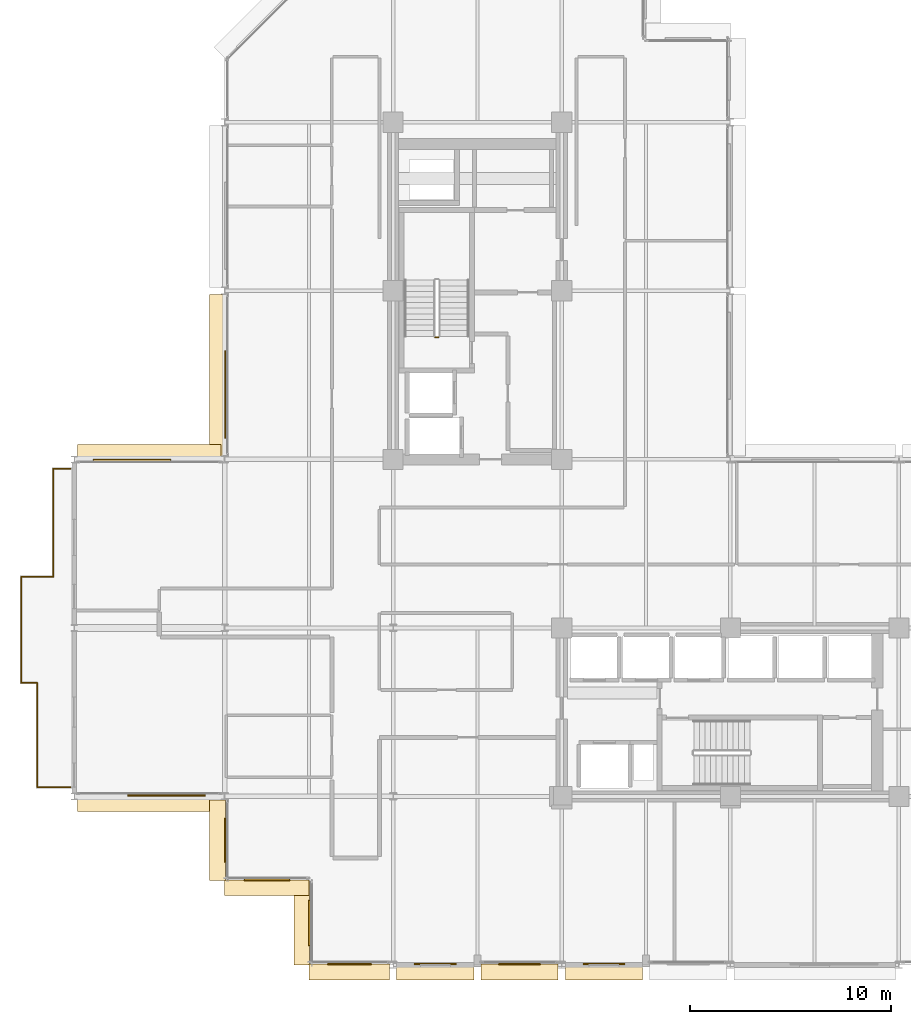
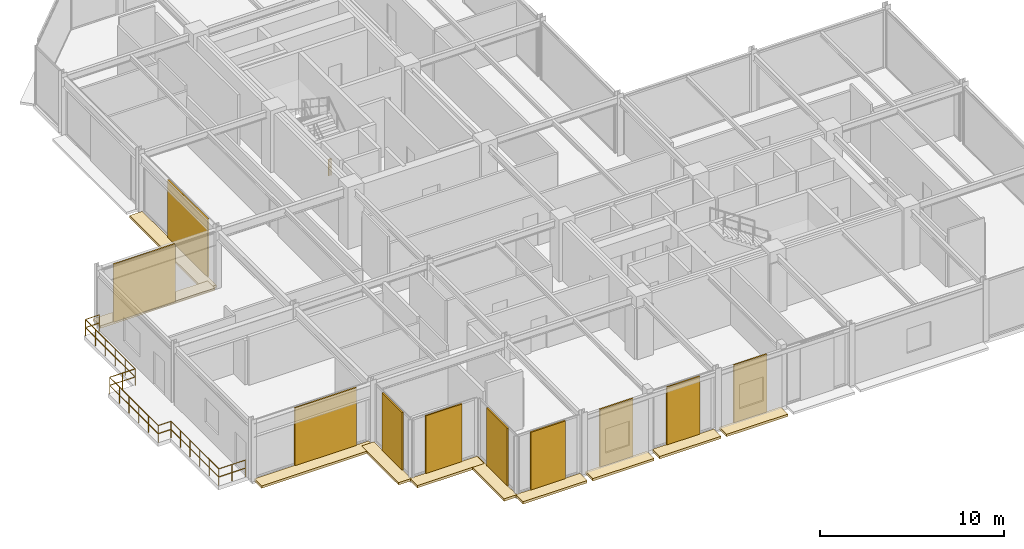
# One storey, part 27 of 29: 20 coverings, 8 railings.
"""IFC4 building model written with IfcOpenShell, lengths in metres."""

from ifc_helpers import new_model, si_unit, direction, frame, origin, origin_2d, place, context, subcontext, project, spatial, polyline, rectangle, circle, outline, extrude, material, layer, layer_set, type_object, element, save


model = new_model("IFC4")

# Units and contexts
model_context = context("Model", 3, precision=1e-05, world=origin(), true_north=direction((0.0, 1.0)))
body_context = subcontext(model_context, "Body", "Model", "MODEL_VIEW")
ifc_project = project(units=[si_unit("LENGTHUNIT", "METRE"), si_unit("AREAUNIT", "SQUARE_METRE"), si_unit("VOLUMEUNIT", "CUBIC_METRE"), si_unit("PLANEANGLEUNIT", "RADIAN"), si_unit("MASSUNIT", "GRAM", prefix="KILO")], contexts=[model_context])

# Site, building, storey
site_placement = place(None, origin())
site = spatial("IfcSite", under=ifc_project, at=site_placement, CompositionType="ELEMENT")
building_placement = place(site_placement, origin())
building = spatial("IfcBuilding", under=site, at=building_placement, Name="Nerrivon Quay Data Exchange", CompositionType="ELEMENT")
storey_placement = place(building_placement, frame((0.0, 0.0, 204.199951171875)))
storey = spatial("IfcBuildingStorey", under=building, at=storey_placement, Name="L48", CompositionType="ELEMENT", Elevation=204.199951171875)

# Coverings
ifc_material_1 = material(Name="Architectural terracotta ceramic", Category="masonry")
ifc_layer_1 = layer(ifc_material_1, 0.159912109375)
ifc_layer_set_1 = layer_set([ifc_layer_1], Name="Architectural terracotta ceramic")
covering_type_1 = type_object("IfcCoveringType", Name="COV-BLD-TERR", PredefinedType="CLADDING", material=ifc_layer_set_1)
covering_1_placement = place(storey_placement, frame((0.0, 0.0, -0.159912109375)))
element("IfcCovering", 1, at=covering_1_placement, inside=storey, type_object=covering_type_1, Name="L48 Horizontal Terracotta SOLAR SCREEN Blade", PredefinedType="CLADDING", context=body_context, shape_type="SweptSolid", body=[
    extrude(outline(polyline([(-7.344482421875, 25.159912109375), (-0.175048828125, 25.159912109375), (-0.175048828125, 25.949951171875), (-7.344482421875, 25.949951171875), (-7.344482421875, 25.159912109375)])), origin(), (0.0, 0.0, 1.0), 0.159912109375),
])
covering_2_placement = place(storey_placement, frame((0.0, 0.0, -0.159912109375)))
element("IfcCovering", 2, at=covering_2_placement, inside=storey, type_object=covering_type_1, Name="L48 Horizontal Terracotta SOLAR SCREEN Blade", PredefinedType="CLADDING", context=body_context, shape_type="SweptSolid", body=[
    extrude(outline(polyline([(0.0400390625, 25.375), (0.0400390625, 33.425048828125), (-0.75, 33.425048828125), (-0.75, 25.375), (0.0400390625, 25.375)])), origin(), (0.0, 0.0, 1.0), 0.159912109375),
])
covering_3_placement = place(storey_placement, frame((0.0, 0.0, -0.159912109375)))
element("IfcCovering", 3, at=covering_3_placement, inside=storey, type_object=covering_type_1, Name="L48 Horizontal Terracotta SOLAR SCREEN Blade", PredefinedType="CLADDING", context=body_context, shape_type="SweptSolid", body=[
    extrude(outline(polyline([(20.824951171875, 0.0400390625), (16.97509765625, 0.0400390625), (16.97509765625, -0.75), (20.824951171875, -0.75), (20.824951171875, 0.0400390625)])), origin(), (0.0, 0.0, 1.0), 0.159912109375),
])
covering_4_placement = place(storey_placement, frame((0.0, 0.0, -0.159912109375)))
element("IfcCovering", 4, at=covering_4_placement, inside=storey, type_object=covering_type_1, Name="L48 Horizontal Terracotta SOLAR SCREEN Blade", PredefinedType="CLADDING", context=body_context, shape_type="SweptSolid", body=[
    extrude(outline(polyline([(16.625, 0.0400390625), (12.77490234375, 0.0400390625), (12.77490234375, -0.75), (16.625, -0.75), (16.625, 0.0400390625)])), origin(), (0.0, 0.0, 1.0), 0.159912109375),
])
covering_5_placement = place(storey_placement, frame((0.0, 0.0, -0.159912109375)))
element("IfcCovering", 5, at=covering_5_placement, inside=storey, type_object=covering_type_1, Name="L48 Horizontal Terracotta SOLAR SCREEN Blade", PredefinedType="CLADDING", context=body_context, shape_type="SweptSolid", body=[
    extrude(outline(polyline([(12.425048828125, 0.0400390625), (8.574951171875, 0.0400390625), (8.574951171875, -0.75), (12.425048828125, -0.75), (12.425048828125, 0.0400390625)])), origin(), (0.0, 0.0, 1.0), 0.159912109375),
])
covering_6_placement = place(storey_placement, frame((0.0, 0.0, -0.159912109375)))
element("IfcCovering", 6, at=covering_6_placement, inside=storey, type_object=covering_type_1, Name="L48 Horizontal Terracotta SOLAR SCREEN Blade", PredefinedType="CLADDING", context=body_context, shape_type="SweptSolid", body=[
    extrude(outline(polyline([(8.22509765625, 0.0400390625), (4.199951171875, 0.0400390625), (4.199951171875, -0.75), (8.22509765625, -0.75), (8.22509765625, 0.0400390625)])), origin(), (0.0, 0.0, 1.0), 0.159912109375),
])
covering_7_placement = place(storey_placement, frame((0.0, 0.0, -0.159912109375)))
element("IfcCovering", 7, at=covering_7_placement, inside=storey, type_object=covering_type_1, Name="L48 Horizontal Terracotta SOLAR SCREEN Blade", PredefinedType="CLADDING", context=body_context, shape_type="SweptSolid", body=[
    extrude(outline(polyline([(4.239990234375, 0.0), (4.239990234375, 4.199951171875), (3.449951171875, 4.199951171875), (3.449951171875, 0.0), (4.239990234375, 0.0)])), origin(), (0.0, 0.0, 1.0), 0.159912109375),
])
covering_8_placement = place(storey_placement, frame((0.0, 0.0, -0.159912109375)))
element("IfcCovering", 8, at=covering_8_placement, inside=storey, type_object=covering_type_1, Name="L48 Horizontal Terracotta SOLAR SCREEN Blade", PredefinedType="CLADDING", context=body_context, shape_type="SweptSolid", body=[
    extrude(outline(polyline([(4.199951171875, 4.239990234375), (0.0, 4.239990234375), (0.0, 3.449951171875), (4.199951171875, 3.449951171875), (4.199951171875, 4.239990234375)])), origin(), (0.0, 0.0, 1.0), 0.159912109375),
])
covering_9_placement = place(storey_placement, frame((0.0, 0.0, -0.159912109375)))
element("IfcCovering", 9, at=covering_9_placement, inside=storey, type_object=covering_type_1, Name="L48 Horizontal Terracotta SOLAR SCREEN Blade", PredefinedType="CLADDING", context=body_context, shape_type="SweptSolid", body=[
    extrude(outline(polyline([(0.0400390625, 4.199951171875), (0.0400390625, 8.22509765625), (-0.75, 8.22509765625), (-0.75, 4.199951171875), (0.0400390625, 4.199951171875)])), origin(), (0.0, 0.0, 1.0), 0.159912109375),
])
covering_10_placement = place(storey_placement, frame((0.0, 0.0, -0.159912109375)))
element("IfcCovering", 10, at=covering_10_placement, inside=storey, type_object=covering_type_1, Name="L48 Horizontal Terracotta SOLAR SCREEN Blade", PredefinedType="CLADDING", context=body_context, shape_type="SweptSolid", body=[
    extrude(outline(polyline([(-0.175048828125, 8.43994140625), (-7.344482421875, 8.43994140625), (-7.344482421875, 7.64990234375), (-0.175048828125, 7.64990234375), (-0.175048828125, 8.43994140625)])), origin(), (0.0, 0.0, 1.0), 0.159912109375),
])
ifc_layer_2 = layer(ifc_material_1, 0.090087890625)
ifc_layer_set_2 = layer_set([ifc_layer_2], Name="Architectural terracotta ceramic")
covering_type_2 = type_object("IfcCoveringType", Name="COV-SCR-TERR", PredefinedType="CLADDING", material=ifc_layer_set_2)
covering_11_placement = place(storey_placement, frame((-4.6201171875, 25.155029296875, 0.0), z_axis=(0.0, 0.0, 1.0), x_axis=(1.0, 0.0, 0.0)))
element("IfcCovering", 11, at=covering_11_placement, inside=storey, type_object=covering_type_2, Name="L48 Perforated Terracotta SOLAR SCREEN Cassette", PredefinedType="CLADDING", context=body_context, shape_type="SweptSolid", body=[
    extrude(rectangle(XDim=3.8720703125, YDim=0.090087890625, at=origin_2d()), origin(), (0.0, 0.0, 1.0), 3.824951171875),
])
covering_12_placement = place(storey_placement, frame((0.044921875, 28.43408203125, 0.0), z_axis=(0.0, 0.0, 1.0), x_axis=(0.0, 1.0, 0.0)))
element("IfcCovering", 12, at=covering_12_placement, inside=storey, type_object=covering_type_2, Name="L48 Perforated Terracotta SOLAR SCREEN Cassette", PredefinedType="CLADDING", context=body_context, shape_type="SweptSolid", body=[
    extrude(rectangle(XDim=4.346923828125, YDim=0.090087890625, at=origin_2d()), origin(), (0.0, 0.0, 1.0), 3.824951171875),
])
for number, where, z_axis, x_axis, name in (
    (13, (18.89990234375, 0.044921875, 0.0), (0.0, 0.0, 1.0), (-1.0, 0.0, 0.0), "L48 Perforated Terracotta SOLAR SCREEN Cassette"),
    (14, (14.699951171875, 0.044921875, 0.0), (0.0, 0.0, 1.0), (-1.0, 0.0, 0.0), "L48 Perforated Terracotta SOLAR SCREEN Cassette"),
    (15, (10.5, 0.044921875, 0.0), (0.0, 0.0, 1.0), (-1.0, 0.0, 0.0), "L48 Perforated Terracotta SOLAR SCREEN Cassette"),
):
    element("IfcCovering", number, at=place(storey_placement, frame(where, z_axis=z_axis, x_axis=x_axis)), inside=storey, type_object=covering_type_2, Name=name, PredefinedType="CLADDING", context=body_context, shape_type="SweptSolid", body=[
        extrude(rectangle(XDim=2.0791015625, YDim=0.090087890625, at=origin_2d()), origin(), (0.0, 0.0, 1.0), 3.824951171875),
    ])
covering_13_placement = place(storey_placement, frame((6.21240234375, 0.044921875, 0.0), z_axis=(0.0, 0.0, 1.0), x_axis=(-1.0, 0.0, 0.0)))
element("IfcCovering", 16, at=covering_13_placement, inside=storey, type_object=covering_type_2, Name="L48 Perforated Terracotta SOLAR SCREEN Cassette", PredefinedType="CLADDING", context=body_context, shape_type="SweptSolid", body=[
    extrude(rectangle(XDim=2.173095703125, YDim=0.090087890625, at=origin_2d()), origin(), (0.0, 0.0, 1.0), 3.824951171875),
])
for number, where, z_axis, x_axis, name in (
    (17, (4.2451171875, 2.10009765625, 0.0), (0.0, 0.0, 1.0), (0.0, 1.0, 0.0), "L48 Perforated Terracotta SOLAR SCREEN Cassette"),
    (18, (2.10009765625, 4.2451171875, 0.0), (0.0, 0.0, 1.0), (-1.0, 0.0, 0.0), "L48 Perforated Terracotta SOLAR SCREEN Cassette"),
):
    element("IfcCovering", number, at=place(storey_placement, frame(where, z_axis=z_axis, x_axis=x_axis)), inside=storey, type_object=covering_type_2, Name=name, PredefinedType="CLADDING", context=body_context, shape_type="SweptSolid", body=[
        extrude(rectangle(XDim=2.26806640625, YDim=0.090087890625, at=origin_2d()), origin(), (0.0, 0.0, 1.0), 3.824951171875),
    ])
covering_14_placement = place(storey_placement, frame((0.044921875, 6.21240234375, 0.0), z_axis=(0.0, 0.0, 1.0), x_axis=(0.0, 1.0, 0.0)))
element("IfcCovering", 19, at=covering_14_placement, inside=storey, type_object=covering_type_2, Name="L48 Perforated Terracotta SOLAR SCREEN Cassette", PredefinedType="CLADDING", context=body_context, shape_type="SweptSolid", body=[
    extrude(rectangle(XDim=2.173095703125, YDim=0.090087890625, at=origin_2d()), origin(), (0.0, 0.0, 1.0), 3.824951171875),
])
covering_15_placement = place(storey_placement, frame((-2.8994140625, 8.445068359375, 0.0), z_axis=(0.0, 0.0, 1.0), x_axis=(-1.0, 0.0, 0.0)))
element("IfcCovering", 20, at=covering_15_placement, inside=storey, type_object=covering_type_2, Name="L48 Perforated Terracotta SOLAR SCREEN Cassette", PredefinedType="CLADDING", context=body_context, shape_type="SweptSolid", body=[
    extrude(rectangle(XDim=3.8720703125, YDim=0.090087890625, at=origin_2d()), origin(), (0.0, 0.0, 1.0), 3.824951171875),
])

# Railings
ifc_material_2 = material(Name="Steel Grade C350L0 (350 MPa)", Category="steel")
railing_type_1 = type_object("IfcRailingType", Name="RAIL-GUARD-GR2", PredefinedType="BALUSTRADE", material=ifc_material_2)
railing_1_placement = place(storey_placement, frame((-7.679931640625, 8.860107421875, 0.0)))
element("IfcRailing", 21, at=railing_1_placement, inside=storey, type_object=railing_type_1, Name="L48 Verandah Balcony Guard 1.1 1", PredefinedType="BALUSTRADE", context=body_context, shape_type="SweptSolid", body=[
    extrude(circle(Radius=0.02392578125, at=origin_2d()), frame((0.0, 0.0, 1.09619140625), z_axis=(-1.0, 0.0, 0.0), x_axis=(0.0, -1.0, 0.0)), (0.0, 0.0, 1.0), 1.66015625),
    extrude(circle(Radius=0.02392578125, at=origin_2d()), frame((0.0, 0.0, 0.56005859375), z_axis=(-1.0, 0.0, 0.0), x_axis=(0.0, -1.0, 0.0)), (0.0, 0.0, 1.0), 1.66015625),
    extrude(circle(Radius=0.02099609375, at=origin_2d()), origin(), (0.0, 0.0, 1.0), 1.072021484375),
    extrude(circle(Radius=0.02099609375, at=origin_2d()), frame((-0.830078125, 0.0, 0.0)), (0.0, 0.0, 1.0), 1.072021484375),
    extrude(circle(Radius=0.02099609375, at=origin_2d()), frame((-1.66015625, 0.0, 0.0)), (0.0, 0.0, 1.0), 1.072021484375),
])
railing_2_placement = place(storey_placement, frame((-9.340087890625, 8.860107421875, 0.0)))
element("IfcRailing", 22, at=railing_2_placement, inside=storey, type_object=railing_type_1, Name="L48 Verandah Balcony Guard 1.2 1", PredefinedType="BALUSTRADE", context=body_context, shape_type="SweptSolid", body=[
    extrude(circle(Radius=0.02392578125, at=origin_2d()), frame((0.0, 0.0, 1.09619140625), z_axis=(0.0, 1.0, 0.0), x_axis=(-1.0, 0.0, 0.0)), (0.0, 0.0, 1.0), 5.199951171875),
    extrude(circle(Radius=0.02392578125, at=origin_2d()), frame((0.0, 0.0, 0.56005859375), z_axis=(0.0, 1.0, 0.0), x_axis=(-1.0, 0.0, 0.0)), (0.0, 0.0, 1.0), 5.199951171875),
    extrude(circle(Radius=0.02099609375, at=origin_2d()), origin(), (0.0, 0.0, 1.0), 1.072021484375),
    extrude(circle(Radius=0.02099609375, at=origin_2d()), frame((0.0, 1.0400390625, 0.0)), (0.0, 0.0, 1.0), 1.072021484375),
    extrude(circle(Radius=0.02099609375, at=origin_2d()), frame((0.0, 2.080078125, 0.0)), (0.0, 0.0, 1.0), 1.072021484375),
    extrude(circle(Radius=0.02099609375, at=origin_2d()), frame((0.0, 3.119873046875, 0.0)), (0.0, 0.0, 1.0), 1.072021484375),
    extrude(circle(Radius=0.02099609375, at=origin_2d()), frame((0.0, 4.159912109375, 0.0)), (0.0, 0.0, 1.0), 1.072021484375),
    extrude(circle(Radius=0.02099609375, at=origin_2d()), frame((0.0, 5.199951171875, 0.0)), (0.0, 0.0, 1.0), 1.072021484375),
])
railing_3_placement = place(storey_placement, frame((-9.340087890625, 14.06005859375, 0.0)))
element("IfcRailing", 23, at=railing_3_placement, inside=storey, type_object=railing_type_1, Name="L48 Verandah Balcony Guard 1.3 1", PredefinedType="BALUSTRADE", context=body_context, shape_type="SweptSolid", body=[
    extrude(circle(Radius=0.02392578125, at=origin_2d()), frame((0.0, 0.0, 1.09619140625), z_axis=(-1.0, 0.0, 0.0), x_axis=(0.0, -1.0, 0.0)), (0.0, 0.0, 1.0), 0.7998046875),
    extrude(circle(Radius=0.02392578125, at=origin_2d()), frame((0.0, 0.0, 0.56005859375), z_axis=(-1.0, 0.0, 0.0), x_axis=(0.0, -1.0, 0.0)), (0.0, 0.0, 1.0), 0.7998046875),
    extrude(circle(Radius=0.02099609375, at=origin_2d()), origin(), (0.0, 0.0, 1.0), 1.072021484375),
    extrude(circle(Radius=0.02099609375, at=origin_2d()), frame((-0.7998046875, 0.0, 0.0)), (0.0, 0.0, 1.0), 1.072021484375),
])
railing_4_placement = place(storey_placement, frame((-10.139892578125, 14.06005859375, 0.0)))
element("IfcRailing", 24, at=railing_4_placement, inside=storey, type_object=railing_type_1, Name="L48 Verandah Balcony Guard 1.4 1", PredefinedType="BALUSTRADE", context=body_context, shape_type="SweptSolid", body=[
    extrude(circle(Radius=0.02392578125, at=origin_2d()), frame((0.0, 0.0, 1.09619140625), z_axis=(0.0, 1.0, 0.0), x_axis=(-1.0, 0.0, 0.0)), (0.0, 0.0, 1.0), 5.280029296875),
    extrude(circle(Radius=0.02392578125, at=origin_2d()), frame((0.0, 0.0, 0.56005859375), z_axis=(0.0, 1.0, 0.0), x_axis=(-1.0, 0.0, 0.0)), (0.0, 0.0, 1.0), 5.280029296875),
    extrude(circle(Radius=0.02099609375, at=origin_2d()), origin(), (0.0, 0.0, 1.0), 1.072021484375),
    extrude(circle(Radius=0.02099609375, at=origin_2d()), frame((0.0, 1.055908203125, 0.0)), (0.0, 0.0, 1.0), 1.072021484375),
    extrude(circle(Radius=0.02099609375, at=origin_2d()), frame((0.0, 2.112060546875, 0.0)), (0.0, 0.0, 1.0), 1.072021484375),
    extrude(circle(Radius=0.02099609375, at=origin_2d()), frame((0.0, 3.16796875, 0.0)), (0.0, 0.0, 1.0), 1.072021484375),
    extrude(circle(Radius=0.02099609375, at=origin_2d()), frame((0.0, 4.22412109375, 0.0)), (0.0, 0.0, 1.0), 1.072021484375),
    extrude(circle(Radius=0.02099609375, at=origin_2d()), frame((0.0, 5.280029296875, 0.0)), (0.0, 0.0, 1.0), 1.072021484375),
])
railing_5_placement = place(storey_placement, frame((-10.139892578125, 19.340087890625, 0.0)))
element("IfcRailing", 25, at=railing_5_placement, inside=storey, type_object=railing_type_1, Name="L48 Verandah Balcony Guard 1.5 1", PredefinedType="BALUSTRADE", context=body_context, shape_type="SweptSolid", body=[
    extrude(circle(Radius=0.02392578125, at=origin_2d()), frame((0.0, 0.0, 1.09619140625), z_axis=(1.0, 0.0, 0.0), x_axis=(0.0, 1.0, 0.0)), (0.0, 0.0, 1.0), 1.599853515625),
    extrude(circle(Radius=0.02392578125, at=origin_2d()), frame((0.0, 0.0, 0.56005859375), z_axis=(1.0, 0.0, 0.0), x_axis=(0.0, 1.0, 0.0)), (0.0, 0.0, 1.0), 1.599853515625),
    extrude(circle(Radius=0.02099609375, at=origin_2d()), origin(), (0.0, 0.0, 1.0), 1.072021484375),
    extrude(circle(Radius=0.02099609375, at=origin_2d()), frame((0.7998046875, 0.0, 0.0)), (0.0, 0.0, 1.0), 1.072021484375),
    extrude(circle(Radius=0.02099609375, at=origin_2d()), frame((1.599853515625, 0.0, 0.0)), (0.0, 0.0, 1.0), 1.072021484375),
])
railing_6_placement = place(storey_placement, frame((-8.5400390625, 19.340087890625, 0.0)))
element("IfcRailing", 26, at=railing_6_placement, inside=storey, type_object=railing_type_1, Name="L48 Verandah Balcony Guard 1.6 1", PredefinedType="BALUSTRADE", context=body_context, shape_type="SweptSolid", body=[
    extrude(circle(Radius=0.02392578125, at=origin_2d()), frame((0.0, 0.0, 1.09619140625), z_axis=(0.0, 1.0, 0.0), x_axis=(-1.0, 0.0, 0.0)), (0.0, 0.0, 1.0), 5.39990234375),
    extrude(circle(Radius=0.02392578125, at=origin_2d()), frame((0.0, 0.0, 0.56005859375), z_axis=(0.0, 1.0, 0.0), x_axis=(-1.0, 0.0, 0.0)), (0.0, 0.0, 1.0), 5.39990234375),
    extrude(circle(Radius=0.02099609375, at=origin_2d()), origin(), (0.0, 0.0, 1.0), 1.072021484375),
    extrude(circle(Radius=0.02099609375, at=origin_2d()), frame((0.0, 1.080078125, 0.0)), (0.0, 0.0, 1.0), 1.072021484375),
    extrude(circle(Radius=0.02099609375, at=origin_2d()), frame((0.0, 2.159912109375, 0.0)), (0.0, 0.0, 1.0), 1.072021484375),
    extrude(circle(Radius=0.02099609375, at=origin_2d()), frame((0.0, 3.239990234375, 0.0)), (0.0, 0.0, 1.0), 1.072021484375),
    extrude(circle(Radius=0.02099609375, at=origin_2d()), frame((0.0, 4.31982421875, 0.0)), (0.0, 0.0, 1.0), 1.072021484375),
    extrude(circle(Radius=0.02099609375, at=origin_2d()), frame((0.0, 5.39990234375, 0.0)), (0.0, 0.0, 1.0), 1.072021484375),
])
railing_7_placement = place(storey_placement, frame((-8.5400390625, 24.739990234375, 0.0)))
element("IfcRailing", 27, at=railing_7_placement, inside=storey, type_object=railing_type_1, Name="L48 Verandah Balcony Guard 1.7 1", PredefinedType="BALUSTRADE", context=body_context, shape_type="SweptSolid", body=[
    extrude(circle(Radius=0.02392578125, at=origin_2d()), frame((0.0, 0.0, 1.09619140625), z_axis=(1.0, 0.0, 0.0), x_axis=(0.0, 1.0, 0.0)), (0.0, 0.0, 1.0), 0.860107421875),
    extrude(circle(Radius=0.02392578125, at=origin_2d()), frame((0.0, 0.0, 0.56005859375), z_axis=(1.0, 0.0, 0.0), x_axis=(0.0, 1.0, 0.0)), (0.0, 0.0, 1.0), 0.860107421875),
    extrude(circle(Radius=0.02099609375, at=origin_2d()), origin(), (0.0, 0.0, 1.0), 1.072021484375),
    extrude(circle(Radius=0.02099609375, at=origin_2d()), frame((0.860107421875, 0.0, 0.0)), (0.0, 0.0, 1.0), 1.072021484375),
])
railing_type_2 = type_object("IfcRailingType", Name="RAIL-STAIR-GR1", PredefinedType="BALUSTRADE", material=ifc_material_2)
railing_8_placement = place(storey_placement, frame((10.64990234375, 31.280029296875, 0.0)))
element("IfcRailing", 28, at=railing_8_placement, inside=storey, type_object=railing_type_2, Name="L48 ST01 stair guard 4", PredefinedType="BALUSTRADE", context=body_context, shape_type="SweptSolid", body=[
    extrude(circle(Radius=0.02392578125, at=origin_2d()), frame((0.0, 0.0, 1.076171875), z_axis=(-1.0, 0.0, 0.0), x_axis=(0.0, -1.0, 0.0)), (0.0, 0.0, 1.0), 0.14990234375),
    extrude(circle(Radius=0.02392578125, at=origin_2d()), frame((0.0, 0.0, 0.550048828125), z_axis=(-1.0, 0.0, 0.0), x_axis=(0.0, -1.0, 0.0)), (0.0, 0.0, 1.0), 0.14990234375),
    extrude(circle(Radius=0.02099609375, at=origin_2d()), origin(), (0.0, 0.0, 1.0), 1.052001953125),
    extrude(circle(Radius=0.02099609375, at=origin_2d()), frame((-0.14990234375, 0.0, 0.0)), (0.0, 0.0, 1.0), 1.052001953125),
])

save(model, "model.ifc")
